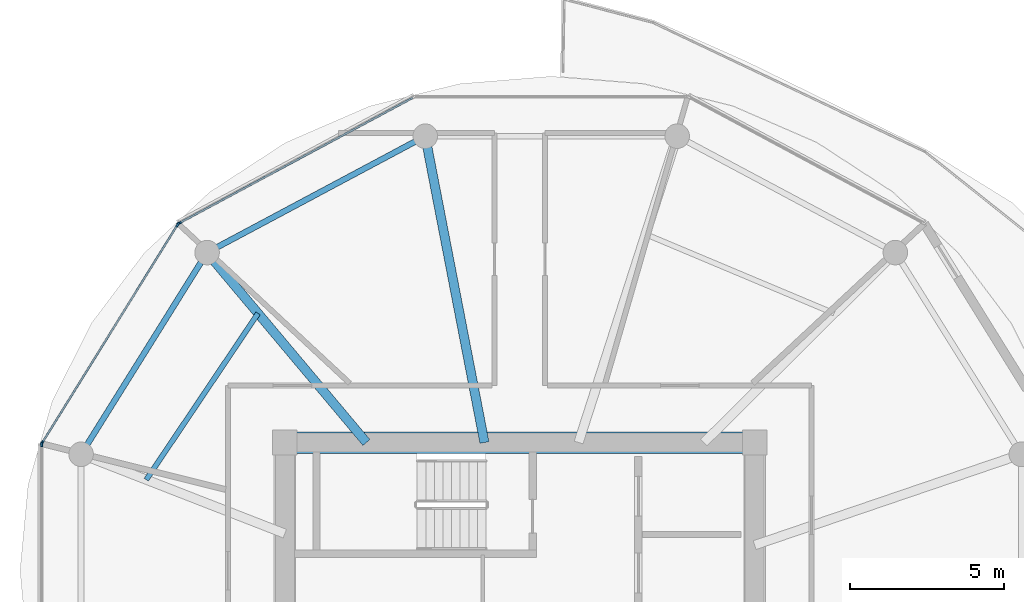
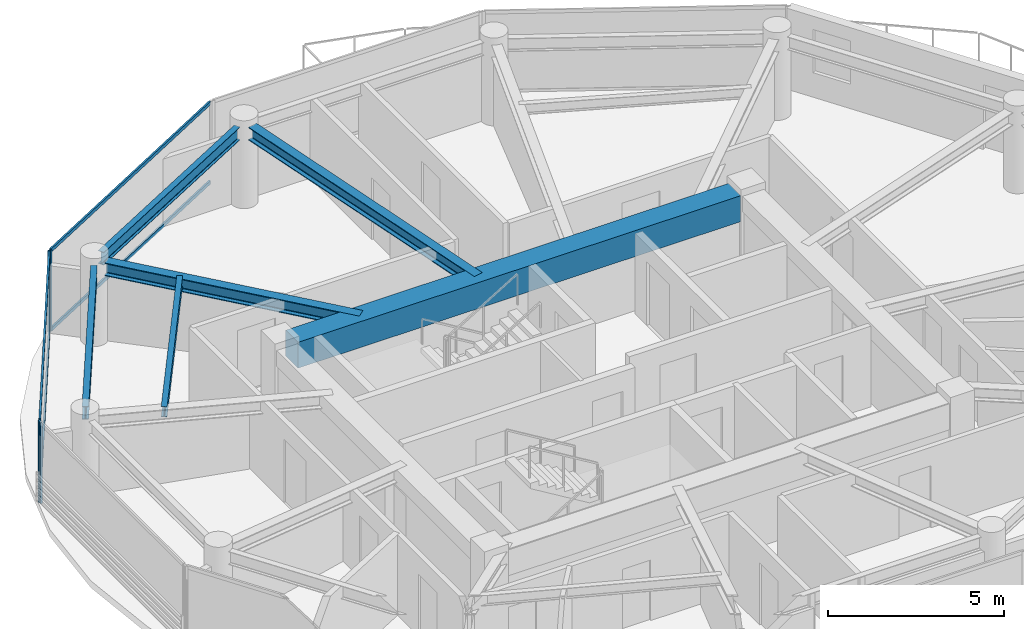
# One storey, part 4 of 21: 8 members, 6 beams, 3 elements without a shape of their own.
"""IFC4 building model written with IfcOpenShell, lengths in metres."""

from ifc_helpers import new_model, si_unit, direction, frame, origin, origin_2d, place, context, subcontext, project, spatial, rectangle, i_section, extrude, source, transform, mapped, material, layer, layer_set, material_profile, profile_set, type_object, type_shapes, element, aggregate, save


model = new_model("IFC4")

# Units and contexts
model_context = context("Model", 3, precision=1e-05, world=origin(), true_north=direction((0.0, 1.0)))
body_context = subcontext(model_context, "Body", "Model", "MODEL_VIEW")
ifc_project = project(units=[si_unit("LENGTHUNIT", "METRE"), si_unit("AREAUNIT", "SQUARE_METRE"), si_unit("VOLUMEUNIT", "CUBIC_METRE"), si_unit("PLANEANGLEUNIT", "RADIAN"), si_unit("MASSUNIT", "GRAM", prefix="KILO")], contexts=[model_context])

# Site, building, storey
site_placement = place(None, origin())
site = spatial("IfcSite", under=ifc_project, at=site_placement, CompositionType="ELEMENT")
building_placement = place(site_placement, origin())
building = spatial("IfcBuilding", under=site, at=building_placement, Name="Norrkilde Senior Care Towers", CompositionType="ELEMENT")
storey_placement = place(building_placement, frame((0.0, 0.0, 140.39990234375)))
storey = spatial("IfcBuildingStorey", under=building, at=storey_placement, Name="L43", CompositionType="ELEMENT", Elevation=140.39990234375)

# Beams
ifc_material_1 = material(Name="Concrete C60/75", Category="concrete")
ifc_material_profile_1 = material_profile(ifc_material_1, rectangle(XDim=0.699951171875, YDim=0.89990234375, at=origin_2d()), Name="RC BM 700x900")
ifc_profile_set_1 = profile_set([ifc_material_profile_1], Name="Concrete C60/75")
beam_type_1 = type_object("IfcBeamType", Name="Core Coupling Girder 700x900", PredefinedType="USERDEFINED", material=ifc_profile_set_1)
shared_shape_1 = source(origin(), body_context, "Body", "SweptSolid", [
    extrude(rectangle(XDim=0.699951171875, YDim=0.89990234375, at=origin_2d()), origin(), (0.0, 0.0, 1.0), 14.5400390625),
])
type_shapes(beam_type_1, [shared_shape_1])
beam_1_placement = place(storey_placement, frame((-35.27001953125, 5.949951171875, 2.360107421875), z_axis=(1.0, 0.0, 0.0), x_axis=(0.0, 1.0, 0.0)))
element("IfcBeam", 1, at=beam_1_placement, inside=storey, type_object=beam_type_1, Name="L43 Core W N Coupling Girder", ObjectType="GIRDER", PredefinedType="USERDEFINED", context=body_context, shape_type="MappedRepresentation", body=[
    mapped(shared_shape_1, transform((0.0, 0.0, 0.0), x_axis=(1.0, 0.0, 0.0), y_axis=(0.0, 1.0, 0.0), z_axis=(0.0, 0.0, 1.0), scale=1.0)),
])
ifc_material_2 = material(Name="Steel S355", Category="steel")
ifc_material_profile_2 = material_profile(ifc_material_2, i_section(OverallWidth=0.18994140625, OverallDepth=0.449951171875, WebThickness=0.009521484375, FlangeThickness=0.0146484375, FilletRadius=0.02099609375, at=origin_2d()), Name="IPE 450")
ifc_profile_set_2 = profile_set([ifc_material_profile_2], Name="Steel S355")
beam_type_2 = type_object("IfcBeamType", Name="Perimeter Ring Spandrel Z3 IPE450", PredefinedType="SPANDREL", material=ifc_profile_set_2)
shared_shape_2 = source(origin(), body_context, "Body", "SweptSolid", [
    extrude(i_section(OverallWidth=0.18994140625, OverallDepth=0.449951171875, WebThickness=0.009521484375, FlangeThickness=0.0146484375, FilletRadius=0.02099609375, at=origin_2d()), origin(), (0.0, 0.0, 1.0), 7.0234375),
])
beam_2_placement = place(storey_placement, frame((-38.373291015625, 11.8291015625, 2.585205078125), z_axis=(-0.529789577822, -0.848129119433, 0.0), x_axis=(0.848129119433, -0.529789577822, 0.0)))
element("IfcBeam", 2, at=beam_2_placement, inside=storey, type_object=beam_type_2, Name="L43 Drum W Perimeter Spandrel 05", PredefinedType="SPANDREL", context=body_context, shape_type="MappedRepresentation", body=[
    mapped(shared_shape_2, transform((0.0, 0.0, 0.0), x_axis=(1.0, 0.0, 0.0), y_axis=(0.0, 1.0, 0.0), z_axis=(0.0, 0.0, 1.0), scale=1.0)),
])
shared_shape_3 = source(origin(), body_context, "Body", "SweptSolid", [
    extrude(i_section(OverallWidth=0.18994140625, OverallDepth=0.449951171875, WebThickness=0.009521484375, FlangeThickness=0.0146484375, FilletRadius=0.02099609375, at=origin_2d()), origin(), (0.0, 0.0, 1.0), 7.333740234375),
])
type_shapes(beam_type_2, [shared_shape_2, shared_shape_3])
beam_3_placement = place(storey_placement, frame((-31.394775390625, 15.756591796875, 2.585205078125), z_axis=(-0.882247866069, -0.470785198172, 0.0), x_axis=(0.470785198172, -0.882247866069, 0.0)))
element("IfcBeam", 3, at=beam_3_placement, inside=storey, type_object=beam_type_2, Name="L43 Drum W Perimeter Spandrel 04", PredefinedType="SPANDREL", context=body_context, shape_type="MappedRepresentation", body=[
    mapped(shared_shape_3, transform((0.0, 0.0, 0.0), x_axis=(1.0, 0.0, 0.0), y_axis=(0.0, 1.0, 0.0), z_axis=(0.0, 0.0, 1.0), scale=1.0)),
])
ifc_material_profile_3 = material_profile(ifc_material_2, i_section(OverallWidth=0.300048828125, OverallDepth=0.449951171875, WebThickness=0.013916015625, FlangeThickness=0.02587890625, FilletRadius=0.027099609375, at=origin_2d()), Name="HEB 450")
ifc_profile_set_3 = profile_set([ifc_material_profile_3], Name="Steel S355")
beam_type_3 = type_object("IfcBeamType", Name="Radial Floor Beam Z3 HEB450", PredefinedType="BEAM", material=ifc_profile_set_3)
shared_shape_4 = source(origin(), body_context, "Body", "SweptSolid", [
    extrude(i_section(OverallWidth=0.300048828125, OverallDepth=0.449951171875, WebThickness=0.013916015625, FlangeThickness=0.02587890625, FilletRadius=0.027099609375, at=origin_2d()), origin(), (0.0, 0.0, 1.0), 9.80078125),
])
beam_4_placement = place(storey_placement, frame((-29.149658203125, 5.949951171875, 2.585205078125), z_axis=(-0.189716727661, 0.98183886827, 0.0), x_axis=(-0.98183886827, -0.189716727661, 0.0)))
element("IfcBeam", 4, at=beam_4_placement, inside=storey, type_object=beam_type_3, Name="L43 Drum W Radial Floor Beam 04", PredefinedType="BEAM", context=body_context, shape_type="MappedRepresentation", body=[
    mapped(shared_shape_4, transform((0.0, 0.0, 0.0), x_axis=(1.0, 0.0, 0.0), y_axis=(0.0, 1.0, 0.0), z_axis=(0.0, 0.0, 1.0), scale=1.0)),
])
shared_shape_5 = source(origin(), body_context, "Body", "SweptSolid", [
    extrude(i_section(OverallWidth=0.300048828125, OverallDepth=0.449951171875, WebThickness=0.013916015625, FlangeThickness=0.02587890625, FilletRadius=0.027099609375, at=origin_2d()), origin(), (0.0, 0.0, 1.0), 7.71337890625),
])
type_shapes(beam_type_3, [shared_shape_4, shared_shape_5])
beam_5_placement = place(storey_placement, frame((-32.992919921875, 5.949951171875, 2.585205078125), z_axis=(-0.642808239864, 0.766027131872, 0.0), x_axis=(-0.766027131872, -0.642808239864, 0.0)))
element("IfcBeam", 5, at=beam_5_placement, inside=storey, type_object=beam_type_3, Name="L43 Drum W Radial Floor Beam 05", PredefinedType="BEAM", context=body_context, shape_type="MappedRepresentation", body=[
    mapped(shared_shape_5, transform((0.0, 0.0, 0.0), x_axis=(1.0, 0.0, 0.0), y_axis=(0.0, 1.0, 0.0), z_axis=(0.0, 0.0, 1.0), scale=1.0)),
])
ifc_material_profile_4 = material_profile(ifc_material_2, i_section(OverallWidth=0.169921875, OverallDepth=0.360107421875, WebThickness=0.008056640625, FlangeThickness=0.0126953125, FilletRadius=0.01806640625, at=origin_2d()), Name="IPE 360")
ifc_profile_set_4 = profile_set([ifc_material_profile_4], Name="Steel S355")
beam_type_4 = type_object("IfcBeamType", Name="Secondary Floor Joist IPE360", PredefinedType="JOIST", material=ifc_profile_set_4)
shared_shape_6 = source(origin(), body_context, "Body", "SweptSolid", [
    extrude(i_section(OverallWidth=0.169921875, OverallDepth=0.360107421875, WebThickness=0.008056640625, FlangeThickness=0.0126953125, FilletRadius=0.01806640625, at=origin_2d()), origin(), (0.0, 0.0, 1.0), 6.525390625),
])
type_shapes(beam_type_4, [shared_shape_6])
beam_6_placement = place(storey_placement, frame((-36.52197265625, 10.155517578125, 2.630126953125), z_axis=(-0.55779590102, -0.829978152005, 0.0), x_axis=(0.829978152005, -0.55779590102, 0.0)))
element("IfcBeam", 6, at=beam_6_placement, inside=storey, type_object=beam_type_4, Name="L43 Drum W Secondary Floor Joist 2", PredefinedType="JOIST", context=body_context, shape_type="MappedRepresentation", body=[
    mapped(shared_shape_6, transform((0.0, 0.0, 0.0), x_axis=(1.0, 0.0, 0.0), y_axis=(0.0, 1.0, 0.0), z_axis=(0.0, 0.0, 1.0), scale=1.0)),
])

# Curtain wall, member
ifc_material_3 = material(Name="Triple Low-E Insulated Glazing", Category="glass")
ifc_layer = layer(ifc_material_3, 0.18994140625)
ifc_layer_set = layer_set([ifc_layer], Name="Triple Low-E Insulated Glazing")
curtain_wall_type = type_object("IfcCurtainWallType", Name="CW4 Zone 3 Senior Residence Curtain Wall", PredefinedType="NOTDEFINED", material=ifc_layer_set)
curtain_wall_1_placement = place(storey_placement, origin())
curtain_wall_1 = element("IfcCurtainWall", 7, at=curtain_wall_1_placement, inside=storey, type_object=curtain_wall_type, Name="L43 Drum W Curtain Wall 03", PredefinedType="NOTDEFINED")
ifc_material_4 = material(Name="Anodised Aluminium", Category="aluminium")
ifc_material_profile_5 = material_profile(ifc_material_4, rectangle(XDim=0.06494140625, YDim=0.14990234375, at=origin_2d()), Name="ALU MULL 65x150")
ifc_profile_set_5 = profile_set([ifc_material_profile_5], Name="Anodised Aluminium")
member_type_1 = type_object("IfcMemberType", Name="Curtain Wall Mullion Z3-Z4 65x150", PredefinedType="MULLION", material=ifc_profile_set_5)
shared_shape_7 = source(origin(), body_context, "Body", "SweptSolid", [
    extrude(rectangle(XDim=0.06494140625, YDim=0.14990234375, at=origin_2d()), origin(), (0.0, 0.0, 1.0), 2.81005859375),
])
type_shapes(member_type_1, [shared_shape_7])
member_1_placement = place(storey_placement, frame((-39.094482421875, 13.09033203125, 0.0), z_axis=(0.0, 0.0, 1.0), x_axis=(-0.47311715104, 0.880999524059, 0.0)))
member_1 = element("IfcMember", 8, at=member_1_placement, type_object=member_type_1, Name="CW-4 mullion 1", PredefinedType="MULLION", context=body_context, shape_type="MappedRepresentation", body=[
    mapped(shared_shape_7, transform((0.0, 0.0, 0.0), x_axis=(1.0, 0.0, 0.0), y_axis=(0.0, 1.0, 0.0), z_axis=(0.0, 0.0, 1.0), scale=1.0)),
])

# Curtain wall, members
curtain_wall_2_placement = place(storey_placement, origin())
curtain_wall_2 = element("IfcCurtainWall", 9, at=curtain_wall_2_placement, inside=storey, type_object=curtain_wall_type, Name="L43 Drum W Curtain Wall 04", PredefinedType="NOTDEFINED")
member_2_placement = place(storey_placement, frame((-43.552490234375, 5.93896484375, 0.0), z_axis=(0.0, 0.0, 1.0), x_axis=(-0.84963405474, 0.52737270789, 0.0)))
member_2 = element("IfcMember", 10, at=member_2_placement, type_object=member_type_1, Name="CW-4 mullion 1", PredefinedType="MULLION", context=body_context, shape_type="MappedRepresentation", body=[
    mapped(shared_shape_7, transform((0.0, 0.0, 0.0), x_axis=(1.0, 0.0, 0.0), y_axis=(0.0, 1.0, 0.0), z_axis=(0.0, 0.0, 1.0), scale=1.0)),
])
member_3_placement = place(storey_placement, frame((-39.14013671875, 13.04736328125, 0.0), z_axis=(0.0, 0.0, 1.0), x_axis=(-0.84963405474, 0.52737270789, 0.0)))
member_3 = element("IfcMember", 11, at=member_3_placement, type_object=member_type_1, Name="CW-4 mullion 2", PredefinedType="MULLION", context=body_context, shape_type="MappedRepresentation", body=[
    mapped(shared_shape_7, transform((0.0, 0.0, 0.0), x_axis=(1.0, 0.0, 0.0), y_axis=(0.0, 1.0, 0.0), z_axis=(0.0, 0.0, 1.0), scale=1.0)),
])

# Curtain wall, member
curtain_wall_3_placement = place(storey_placement, origin())
curtain_wall_3 = element("IfcCurtainWall", 12, at=curtain_wall_3_placement, inside=storey, type_object=curtain_wall_type, Name="L43 Drum W Curtain Wall 05", PredefinedType="NOTDEFINED")
member_4_placement = place(storey_placement, frame((-43.569580078125, 5.878662109375, 0.0), z_axis=(0.0, 0.0, 1.0), x_axis=(-1.0, 0.0, 0.0)))
member_4 = element("IfcMember", 13, at=member_4_placement, type_object=member_type_1, Name="CW-4 mullion 2", PredefinedType="MULLION", context=body_context, shape_type="MappedRepresentation", body=[
    mapped(shared_shape_7, transform((0.0, 0.0, 0.0), x_axis=(1.0, 0.0, 0.0), y_axis=(0.0, 1.0, 0.0), z_axis=(0.0, 0.0, 1.0), scale=1.0)),
])
aggregate(curtain_wall_3, [member_4])

# Member
ifc_material_profile_6 = material_profile(ifc_material_4, rectangle(XDim=0.06005859375, YDim=0.1201171875, at=origin_2d()), Name="ALU TRAN 60x120")
ifc_profile_set_6 = profile_set([ifc_material_profile_6], Name="Anodised Aluminium")
member_type_2 = type_object("IfcMemberType", Name="Curtain Wall Transom Typical 60x120", PredefinedType="USERDEFINED", material=ifc_profile_set_6)
shared_shape_8 = source(origin(), body_context, "Body", "SweptSolid", [
    extrude(rectangle(XDim=0.06005859375, YDim=0.1201171875, at=origin_2d()), origin(), (0.0, 0.0, 1.0), 8.301513671875),
])
member_5_placement = place(storey_placement, frame((-43.535400390625, 5.966552734375, 0.030029296875), z_axis=(0.527368718394, 0.849636531029, 0.0), x_axis=(-0.849636531029, 0.527368718394, 0.0)))
member_5 = element("IfcMember", 14, at=member_5_placement, type_object=member_type_2, Name="CW-4 transom 1.1", ObjectType="TRANSOM", PredefinedType="USERDEFINED", context=body_context, shape_type="MappedRepresentation", body=[
    mapped(shared_shape_8, transform((0.0, 0.0, 0.0), x_axis=(1.0, 0.0, 0.0), y_axis=(0.0, 1.0, 0.0), z_axis=(0.0, 0.0, 1.0), scale=1.0)),
])

member_6_placement = place(storey_placement, frame((-43.535400390625, 5.966552734375, 2.780029296875), z_axis=(0.527368718394, 0.849636531029, 0.0), x_axis=(-0.849636531029, 0.527368718394, 0.0)))
member_6 = element("IfcMember", 15, at=member_6_placement, type_object=member_type_2, Name="CW-4 transom 1.2", ObjectType="TRANSOM", PredefinedType="USERDEFINED", context=body_context, shape_type="MappedRepresentation", body=[
    mapped(shared_shape_8, transform((0.0, 0.0, 0.0), x_axis=(1.0, 0.0, 0.0), y_axis=(0.0, 1.0, 0.0), z_axis=(0.0, 0.0, 1.0), scale=1.0)),
])

aggregate(curtain_wall_2, [member_2, member_3, member_5, member_6])

shared_shape_9 = source(origin(), body_context, "Body", "SweptSolid", [
    extrude(rectangle(XDim=0.06005859375, YDim=0.1201171875, at=origin_2d()), origin(), (0.0, 0.0, 1.0), 8.612060546875),
])
type_shapes(member_type_2, [shared_shape_8, shared_shape_9])
member_7_placement = place(storey_placement, frame((-39.06591796875, 13.105712890625, 0.030029296875), z_axis=(0.881000337462, 0.473115636384, 0.0), x_axis=(-0.473115636384, 0.881000337462, 0.0)))
member_7 = element("IfcMember", 16, at=member_7_placement, type_object=member_type_2, Name="CW-4 transom 1.1", ObjectType="TRANSOM", PredefinedType="USERDEFINED", context=body_context, shape_type="MappedRepresentation", body=[
    mapped(shared_shape_9, transform((0.0, 0.0, 0.0), x_axis=(1.0, 0.0, 0.0), y_axis=(0.0, 1.0, 0.0), z_axis=(0.0, 0.0, 1.0), scale=1.0)),
])

member_8_placement = place(storey_placement, frame((-39.06591796875, 13.105712890625, 2.780029296875), z_axis=(0.881000337462, 0.473115636384, 0.0), x_axis=(-0.473115636384, 0.881000337462, 0.0)))
member_8 = element("IfcMember", 17, at=member_8_placement, type_object=member_type_2, Name="CW-4 transom 1.2", ObjectType="TRANSOM", PredefinedType="USERDEFINED", context=body_context, shape_type="MappedRepresentation", body=[
    mapped(shared_shape_9, transform((0.0, 0.0, 0.0), x_axis=(1.0, 0.0, 0.0), y_axis=(0.0, 1.0, 0.0), z_axis=(0.0, 0.0, 1.0), scale=1.0)),
])

aggregate(curtain_wall_1, [member_1, member_7, member_8])

save(model, "model.ifc")
